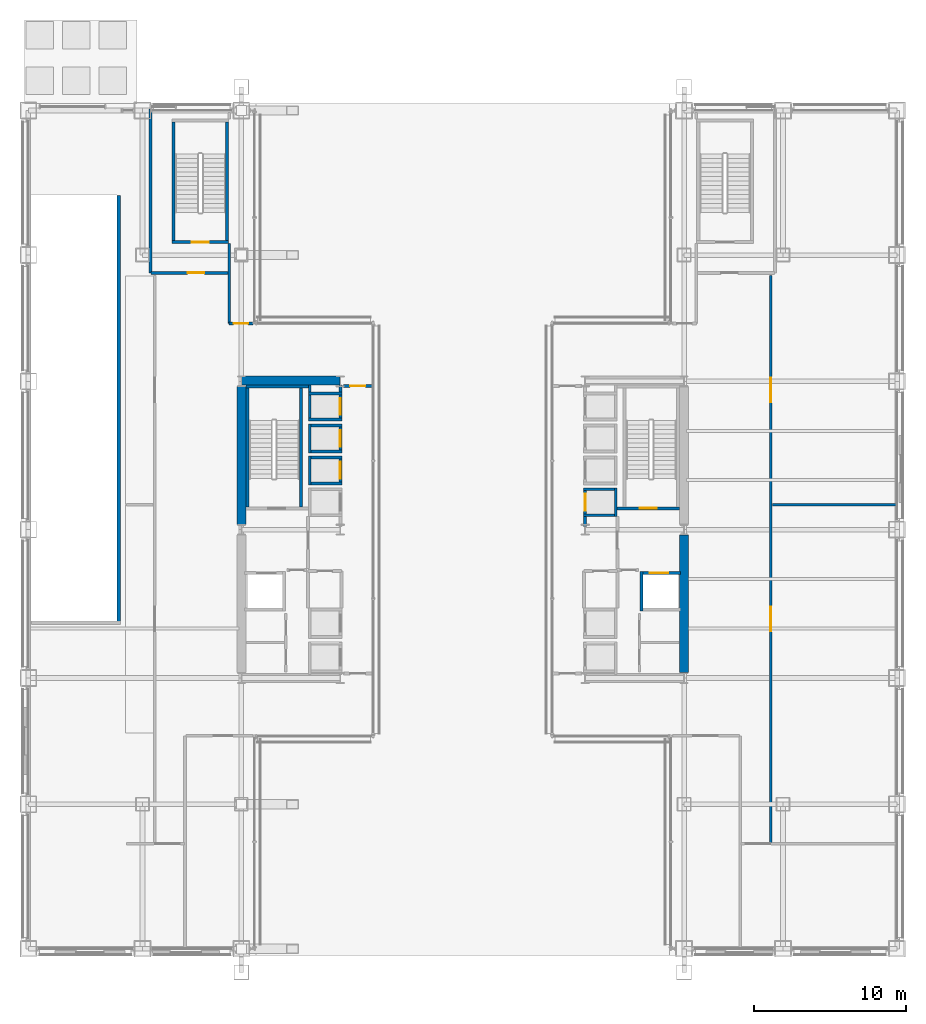
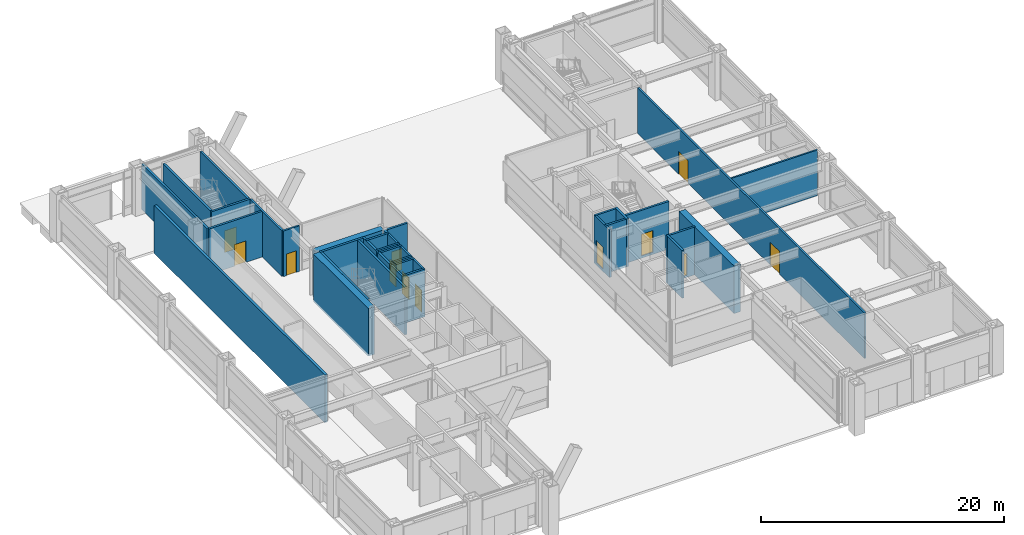
# One storey, part 32 of 37: 36 walls, 12 doors, 12 openings.
"""IFC4 building model written with IfcOpenShell, lengths in metres."""

import ifcopenshell
import ifcopenshell.guid

model = None  # the IFC model being written
_history = None  # IfcOwnerHistory: only IFC2X3 demands one
_inside = {}  # id of a spatial element -> (the spatial element, [elements in it])
_under = {}  # id of a project, library or spatial element -> (it, [spatial elements below it])
_declared = {}  # id of a project -> (the project, [libraries it declares])
_typed = {}  # id of a type object -> (the type object, [elements of that type])
_made_of = {}  # id of a material, layer set ... -> (it, [elements and type objects made of it])


def new_model(schema):
    """Start an empty IFC model of exactly this schema.

    Asked for "IFC4X3", IfcOpenShell would pick the latest addendum, in which some entities
    have other attributes; the version numbers below select the first issue.
    IFC2X3 requires an IfcOwnerHistory on every rooted entity: one is made here for all.
    """
    global model, _history
    if schema == "IFC4X3":
        model = ifcopenshell.file(schema_version=(4, 3, 0, 0))
    else:
        model = ifcopenshell.file(schema=schema)
    _inside.clear()
    _under.clear()
    _declared.clear()
    _typed.clear()
    _made_of.clear()
    _history = None
    if model.schema == "IFC2X3":
        org = make("IfcOrganization", Name="unknown")
        user = make(
            "IfcPersonAndOrganization",
            ThePerson=make("IfcPerson", FamilyName="unknown"),
            TheOrganization=org,
        )
        app = make(
            "IfcApplication",
            ApplicationDeveloper=org,
            Version="unknown",
            ApplicationFullName="unknown",
            ApplicationIdentifier="unknown",
        )
        _history = make(
            "IfcOwnerHistory",
            OwningUser=user,
            OwningApplication=app,
            ChangeAction="ADDED",
            CreationDate=0,
        )
    return model


def make(cls, **values):
    """One entity of the class cls with the attributes given. An attribute that is None is left unset."""
    return model.create_entity(
        cls, **{name: value for name, value in values.items() if value is not None}
    )


def rooted(cls, **values):
    """An entity with a GlobalId (a new one), such as an element, a storey or a relation."""
    return make(cls, GlobalId=ifcopenshell.guid.new(), OwnerHistory=_history, **values)


def si_unit(unit_type, name, prefix=None):
    """IfcSIUnit, for example si_unit("LENGTHUNIT", "METRE", prefix="MILLI")."""
    return make("IfcSIUnit", UnitType=unit_type, Prefix=prefix, Name=name)


def assignment(units):
    """IfcUnitAssignment: the units of a project."""
    return None if units is None else make("IfcUnitAssignment", Units=units)


def point(xyz):
    """IfcCartesianPoint."""
    return None if xyz is None else make("IfcCartesianPoint", Coordinates=xyz)


def direction(xyz):
    """IfcDirection."""
    return None if xyz is None else make("IfcDirection", DirectionRatios=xyz)


def frame(location, z_axis=None, x_axis=None):
    """IfcAxis2Placement3D, a coordinate frame: its origin and axes. An axis left out is left unset."""
    return make(
        "IfcAxis2Placement3D",
        Location=point(location),
        Axis=direction(z_axis),
        RefDirection=direction(x_axis),
    )


def frame_2d(location, x_axis=None):
    """IfcAxis2Placement2D, a coordinate frame in the plane: its origin and x axis."""
    return make(
        "IfcAxis2Placement2D", Location=point(location), RefDirection=direction(x_axis)
    )


def origin():
    """The frame at (0, 0, 0) with its axes left unset."""
    return frame((0.0, 0.0, 0.0))


def place(relative_to, where):
    """IfcLocalPlacement: puts the frame where relative to a parent placement (None: the world)."""
    return make(
        "IfcLocalPlacement", PlacementRelTo=relative_to, RelativePlacement=where
    )


def context(
    kind, dimensions, precision=None, world=None, true_north=None, identifier=None
):
    """IfcGeometricRepresentationContext, for example the 3D "Model" context."""
    return make(
        "IfcGeometricRepresentationContext",
        ContextIdentifier=identifier,
        ContextType=kind,
        CoordinateSpaceDimension=dimensions,
        Precision=precision,
        WorldCoordinateSystem=world,
        TrueNorth=true_north,
    )


def subcontext(parent, identifier, kind, view, scale=None):
    """IfcGeometricRepresentationSubContext, for example "Body" below "Model"."""
    return make(
        "IfcGeometricRepresentationSubContext",
        ContextIdentifier=identifier,
        ContextType=kind,
        ParentContext=parent,
        TargetScale=scale,
        TargetView=view,
    )


def project(units=None, contexts=None):
    """IfcProject with its units and contexts."""
    return rooted(
        "IfcProject",
        Name="project",
        RepresentationContexts=contexts,
        UnitsInContext=assignment(units),
    )


def spatial(cls, under=None, at=None, **own):
    """A site, building, storey or space (cls), placed at a placement, below another one or the project."""
    s = rooted(cls, ObjectPlacement=at, **own)
    if under is not None:
        _under.setdefault(under.id(), (under, []))[1].append(s)
    return s


def profile(cls, at=None, kind="AREA", **sizes):
    """A parametric profile (cls). Its sizes go by their IFC names, for example OverallWidth=200.0."""
    return make(cls, ProfileType=kind, Position=at, **sizes)


def rectangle(**sizes):
    """IfcRectangleProfileDef."""
    return profile("IfcRectangleProfileDef", **sizes)


def extrude(swept, where, along, depth):
    """IfcExtrudedAreaSolid: the profile swept, set in the frame where, extruded along a direction by depth."""
    return make(
        "IfcExtrudedAreaSolid",
        SweptArea=swept,
        Position=where,
        ExtrudedDirection=direction(along),
        Depth=depth,
    )


def shape(context_of_items, identifier, shape_type, items):
    """IfcShapeRepresentation: the items that make up one representation, for example the "Body"."""
    return make(
        "IfcShapeRepresentation",
        ContextOfItems=context_of_items,
        RepresentationIdentifier=identifier,
        RepresentationType=shape_type,
        Items=items,
    )


def material(Name=None, Category=None):
    """IfcMaterial."""
    return make("IfcMaterial", Name=Name, Category=Category)


def layer(
    of_material, thickness, ventilated=None, Name=None, Category=None, Priority=None
):
    """IfcMaterialLayer: one layer of a wall or slab, of a material (None: an air gap)."""
    return make(
        "IfcMaterialLayer",
        Material=of_material,
        LayerThickness=thickness,
        IsVentilated=ventilated,
        Name=Name,
        Category=Category,
        Priority=Priority,
    )


def layer_set(layers, Name=None):
    """IfcMaterialLayerSet."""
    return make("IfcMaterialLayerSet", MaterialLayers=layers, LayerSetName=Name)


def made_of(thing, what):
    """Note that an element or type object is made of a material, layer set ...; save() writes the relation."""
    if what is not None:
        _made_of.setdefault(what.id(), (what, []))[1].append(thing)
    return thing


def type_object(cls, material=None, **own):
    """A type object (cls), such as IfcWallType, which elements share."""
    return made_of(rooted(cls, **own), material)


def element(
    cls,
    number,
    at=None,
    inside=None,
    cuts=None,
    type_object=None,
    material=None,
    context=None,
    identifier="Body",
    shape_type=None,
    held_by="IfcProductDefinitionShape",
    body=None,
    shapes=None,
    **own,
):
    """One element of the class cls, such as IfcWall. Its Tag is "e" and its number.

    at: its placement. inside: the storey or other place that contains it. cuts: it is an
    opening in that element (IfcRelVoidsElement). A single representation is given by context,
    identifier, shape_type and body (its items); several are given by shapes. held_by: the class
    of the entity that holds the representations. save() writes the other relations.
    """
    e = rooted(cls, Tag="e%d" % number, ObjectPlacement=at, **own)
    if body is not None:
        shapes = [shape(context, identifier, shape_type, body)]
    if shapes is not None:
        e.Representation = make(held_by, Representations=shapes)
    if inside is not None:
        _inside.setdefault(inside.id(), (inside, []))[1].append(e)
    if cuts is not None:
        rooted(
            "IfcRelVoidsElement", RelatingBuildingElement=cuts, RelatedOpeningElement=e
        )
    if type_object is not None:
        _typed.setdefault(type_object.id(), (type_object, []))[1].append(e)
    return made_of(e, material)


def fill(opening, filler):
    """IfcRelFillsElement: the door or window that sits in an opening."""
    return rooted(
        "IfcRelFillsElement",
        RelatingOpeningElement=opening,
        RelatedBuildingElement=filler,
    )


def aggregate(whole, parts):
    """IfcRelAggregates: a whole, such as a stair, and the parts it consists of."""
    return rooted("IfcRelAggregates", RelatingObject=whole, RelatedObjects=parts)


def save(model, path):
    """Write the relations noted so far, then the file.

    IfcRelAggregates (storeys below a building ...), IfcRelContainedInSpatialStructure (elements
    in a storey), IfcRelDefinesByType, IfcRelAssociatesMaterial and IfcRelDeclares: one each for
    every whole, place, type object, material and project.
    """
    for whole, parts in _under.values():
        aggregate(whole, parts)
    for where, things in _inside.values():
        rooted(
            "IfcRelContainedInSpatialStructure",
            RelatedElements=things,
            RelatingStructure=where,
        )
    for kind, things in _typed.values():
        rooted("IfcRelDefinesByType", RelatedObjects=things, RelatingType=kind)
    for what, things in _made_of.values():
        rooted("IfcRelAssociatesMaterial", RelatedObjects=things, RelatingMaterial=what)
    for by, libraries in _declared.values():
        rooted("IfcRelDeclares", RelatingContext=by, RelatedDefinitions=libraries)
    model.write(path)


model = new_model("IFC4")

# Units and contexts
model_context = context("Model", 3, precision=1e-05, world=origin(), true_north=direction((0.0, 1.0)))
body_context = subcontext(model_context, "Body", "Model", "MODEL_VIEW")
ifc_project = project(units=[si_unit("LENGTHUNIT", "METRE"), si_unit("AREAUNIT", "SQUARE_METRE"), si_unit("VOLUMEUNIT", "CUBIC_METRE"), si_unit("PLANEANGLEUNIT", "RADIAN"), si_unit("MASSUNIT", "GRAM", prefix="KILO")], contexts=[model_context])

# Site, building, storey
site_placement = place(None, origin())
site = spatial("IfcSite", under=ifc_project, at=site_placement, CompositionType="ELEMENT")
building_placement = place(site_placement, origin())
building = spatial("IfcBuilding", under=site, at=building_placement, Name="Brelmoor Portico Tower", CompositionType="ELEMENT")
storey_placement = place(building_placement, origin())
storey = spatial("IfcBuildingStorey", under=building, at=storey_placement, Name="L00", CompositionType="ELEMENT", Elevation=0.0)

# Walls
ifc_material_1 = material(Name="Concrete C60", Category="concrete")
ifc_layer_1 = layer(ifc_material_1, 0.60009765625)
ifc_layer_set_1 = layer_set([ifc_layer_1], Name="Concrete C60")
wall_type_1 = type_object("IfcWallType", Name="WL-CORE-600", PredefinedType="SHEAR", material=ifc_layer_set_1)
wall_1_placement = place(storey_placement, frame((-14.530029296875, 9.800048828125, -0.219970703125), z_axis=(0.0, 0.0, 1.0), x_axis=(1.0, 0.0, 0.0)))
element("IfcWall", 1, at=wall_1_placement, inside=storey, type_object=wall_type_1, Name="L00 WC North Shear Wall", PredefinedType="SHEAR", context=body_context, shape_type="SweptSolid", body=[
    extrude(rectangle(XDim=6.4599609375, YDim=0.60009765625, at=frame_2d((3.22998046875, 0.0))), origin(), (0.0, 0.0, 1.0), 4.800048828125),
])
for number, where, z_axis, x_axis, name in (
    (2, (-14.550048828125, 0.35009765625, -0.219970703125), (0.0, 0.0, 1.0), (0.0, 1.0, 0.0), "L00 WC Outer North Shear Wall"),
    (3, (14.550048828125, -9.39990234375, -0.219970703125), (0.0, 0.0, 1.0), (0.0, 1.0, 0.0), "L00 EC Outer South Shear Wall"),
):
    element("IfcWall", number, at=place(storey_placement, frame(where, z_axis=z_axis, x_axis=x_axis)), inside=storey, type_object=wall_type_1, Name=name, PredefinedType="SHEAR", context=body_context, shape_type="SweptSolid", body=[
        extrude(rectangle(XDim=9.0498046875, YDim=0.60009765625, at=frame_2d((4.52490234375, 0.0))), origin(), (0.0, 0.0, 1.0), 4.800048828125),
    ])
ifc_material_2 = material(Name="Twin-Frame Acoustic Partition", Category="gypsum")
ifc_layer_2 = layer(ifc_material_2, 0.159912109375)
ifc_layer_set_2 = layer_set([ifc_layer_2], Name="Twin-Frame Acoustic Partition")
wall_type_2 = type_object("IfcWallType", Name="WL-PART-160", PredefinedType="PARTITIONING", material=ifc_layer_set_2)
wall_2_placement = place(storey_placement, frame((20.35009765625, 1.64990234375, 0.0), z_axis=(0.0, 0.0, 1.0), x_axis=(1.0, 0.0, 0.0)))
element("IfcWall", 4, at=wall_2_placement, inside=storey, type_object=wall_type_2, Name="L00 E Wing Divider 1", PredefinedType="PARTITIONING", context=body_context, shape_type="SweptSolid", body=[
    extrude(rectangle(XDim=8.169921875, YDim=0.159912109375, at=frame_2d((4.0849609375, 0.0))), origin(), (0.0, 0.0, 1.0), 4.580078125),
])

# Wall, opening, door
ifc_material_3 = material(Name="Acoustic Corridor Fire Partition", Category="gypsum")
ifc_layer_3 = layer(ifc_material_3, 0.179931640625)
ifc_layer_set_3 = layer_set([ifc_layer_3], Name="Acoustic Corridor Fire Partition")
wall_type_3 = type_object("IfcWallType", Name="WL-PART-180", PredefinedType="PARTITIONING", material=ifc_layer_set_3)
wall_3_placement = place(storey_placement, frame((-13.800048828125, 13.550048828125, 0.0), z_axis=(0.0, 0.0, 1.0), x_axis=(-1.0, 0.0, 0.0)))
wall_3 = element("IfcWall", 5, at=wall_3_placement, inside=storey, type_object=wall_type_3, Name="L00 W North Reception Wall", PredefinedType="PARTITIONING", context=body_context, shape_type="SweptSolid", body=[
    extrude(rectangle(XDim=1.550048828125, YDim=0.179931640625, at=frame_2d((0.77490234375, 0.0))), origin(), (0.0, 0.0, 1.0), 4.580078125),
])
opening_1_placement = place(wall_3_placement, frame((0.300048828125, 0.0, 0.0)))
opening_1 = element("IfcOpeningElement", 6, at=opening_1_placement, cuts=wall_3, Name="Opening D-IN2", PredefinedType="OPENING", context=body_context, shape_type="SweptSolid", body=[
    extrude(rectangle(XDim=0.9599609375, YDim=2.179931640625, at=frame_2d((0.47998046875, 1.08984375))), frame((0.0, 0.099853515625, 0.0), z_axis=(0.0, -1.0, 0.0), x_axis=(1.0, 0.0, 0.0)), (0.0, 0.0, 1.0), 0.199951171875),
])
ifc_material_4 = material(Name="Lacquered Timber Suite Door", Category="wood")
door_type_1 = type_object("IfcDoorType", Name="DR-INT-950", OperationType="NOTDEFINED", PredefinedType="DOOR", material=ifc_material_4)
door_1_placement = place(opening_1_placement, origin())
door_1 = element("IfcDoor", 7, at=door_1_placement, inside=storey, type_object=door_type_1, Name="D-0068 L00 W North Reception Foyer Door", OperationType="SINGLE_SWING_RIGHT", OverallHeight=2.179931640625, OverallWidth=0.9599609375, PredefinedType="DOOR", context=body_context, shape_type="SweptSolid", body=[
    extrude(rectangle(XDim=0.9599609375, YDim=2.179931640625, at=frame_2d((0.47998046875, 1.08984375))), frame((0.0, 0.02490234375, 0.0), z_axis=(0.0, -1.0, 0.0), x_axis=(1.0, 0.0, 0.0)), (0.0, 0.0, 1.0), 0.050048828125),
])
fill(opening_1, door_1)

# Wall
wall_4_placement = place(storey_placement, frame((-15.35009765625, 13.550048828125, 0.0), z_axis=(0.0, 0.0, 1.0), x_axis=(0.0, 1.0, 0.0)))
element("IfcWall", 8, at=wall_4_placement, inside=storey, type_object=wall_type_3, Name="L00 W North Reception Outer Wall", PredefinedType="PARTITIONING", context=body_context, shape_type="SweptSolid", body=[
    extrude(rectangle(XDim=5.25, YDim=0.179931640625, at=frame_2d((2.625, 0.0))), origin(), (0.0, 0.0, 1.0), 4.580078125),
])

# Wall, openings, doors
wall_5_placement = place(storey_placement, frame((20.25, -20.60009765625, 0.0), z_axis=(0.0, 0.0, 1.0), x_axis=(0.0, 1.0, 0.0)))
wall_5 = element("IfcWall", 9, at=wall_5_placement, inside=storey, type_object=wall_type_3, Name="L00 E Wing Concourse Wall", PredefinedType="PARTITIONING", context=body_context, shape_type="SweptSolid", body=[
    extrude(rectangle(XDim=37.300048828125, YDim=0.179931640625, at=frame_2d((18.64990234375, 0.0))), origin(), (0.0, 0.0, 1.0), 4.580078125),
])
opening_2_placement = place(wall_5_placement, frame((13.925048828125, 0.0, 0.0)))
opening_2 = element("IfcOpeningElement", 10, at=opening_2_placement, cuts=wall_5, Name="Opening D-PB1", PredefinedType="OPENING", context=body_context, shape_type="SweptSolid", body=[
    extrude(rectangle(XDim=1.60009765625, YDim=2.300048828125, at=frame_2d((0.800048828125, 1.14990234375))), frame((0.0, 0.099853515625, 0.0), z_axis=(0.0, -1.0, 0.0), x_axis=(1.0, 0.0, 0.0)), (0.0, 0.0, 1.0), 0.199951171875),
])
opening_3_placement = place(wall_5_placement, frame((28.97509765625, 0.0, 0.0)))
opening_3 = element("IfcOpeningElement", 11, at=opening_3_placement, cuts=wall_5, Name="Opening D-PB1", PredefinedType="OPENING", context=body_context, shape_type="SweptSolid", body=[
    extrude(rectangle(XDim=1.60009765625, YDim=2.300048828125, at=frame_2d((0.800048828125, 1.14990234375))), frame((0.0, 0.099853515625, 0.0), z_axis=(0.0, -1.0, 0.0), x_axis=(1.0, 0.0, 0.0)), (0.0, 0.0, 1.0), 0.199951171875),
])
ifc_material_5 = material(Name="Double-Leaf Anodised Aluminium Hall Door", Category="aluminium")
door_type_2 = type_object("IfcDoorType", Name="DR-PUBLIC-1600", OperationType="NOTDEFINED", PredefinedType="DOOR", material=ifc_material_5)
door_2_placement = place(opening_2_placement, origin())
door_2 = element("IfcDoor", 12, at=door_2_placement, inside=storey, type_object=door_type_2, Name="D-0073 L00 E Portico Design Studio Door", OperationType="DOUBLE_DOOR_SINGLE_SWING", OverallHeight=2.300048828125, OverallWidth=1.60009765625, PredefinedType="DOOR", context=body_context, shape_type="SweptSolid", body=[
    extrude(rectangle(XDim=1.60009765625, YDim=2.300048828125, at=frame_2d((0.800048828125, 1.14990234375))), frame((0.0, 0.02490234375, 0.0), z_axis=(0.0, -1.0, 0.0), x_axis=(1.0, 0.0, 0.0)), (0.0, 0.0, 1.0), 0.050048828125),
])
fill(opening_2, door_2)
door_3_placement = place(opening_3_placement, origin())
door_3 = element("IfcDoor", 13, at=door_3_placement, inside=storey, type_object=door_type_2, Name="D-0074 L00 E Artisan Cafe and Bakery Door", OperationType="DOUBLE_DOOR_SINGLE_SWING", OverallHeight=2.300048828125, OverallWidth=1.60009765625, PredefinedType="DOOR", context=body_context, shape_type="SweptSolid", body=[
    extrude(rectangle(XDim=1.60009765625, YDim=2.300048828125, at=frame_2d((0.800048828125, 1.14990234375))), frame((0.0, 0.02490234375, 0.0), z_axis=(0.0, -1.0, 0.0), x_axis=(1.0, 0.0, 0.0)), (0.0, 0.0, 1.0), 0.050048828125),
])
fill(opening_3, door_3)

# Wall, opening, door
ifc_material_6 = material(Name="Double-Stud Gypsum Fire Partition", Category="gypsum")
ifc_layer_4 = layer(ifc_material_6, 0.199951171875)
ifc_layer_set_4 = layer_set([ifc_layer_4], Name="Double-Stud Gypsum Fire Partition")
wall_type_4 = type_object("IfcWallType", Name="WL-PART-200", PredefinedType="PARTITIONING", material=ifc_layer_set_4)
wall_6_placement = place(storey_placement, frame((-7.85009765625, 9.449951171875, 0.0), z_axis=(0.0, 0.0, 1.0), x_axis=(1.0, 0.0, 0.0)))
wall_6 = element("IfcWall", 14, at=wall_6_placement, inside=storey, type_object=wall_type_4, Name="L00 W Pier Lift Lobby North Wall", PredefinedType="PARTITIONING", context=body_context, shape_type="SweptSolid", body=[
    extrude(rectangle(XDim=1.93017578125, YDim=0.199951171875, at=frame_2d((0.965087890625, 0.0))), origin(), (0.0, 0.0, 1.0), 4.580078125),
])
opening_4_placement = place(wall_6_placement, frame((0.449951171875, 0.0, 0.0)))
opening_4 = element("IfcOpeningElement", 15, at=opening_4_placement, cuts=wall_6, Name="Opening D-FR2", PredefinedType="OPENING", context=body_context, shape_type="SweptSolid", body=[
    extrude(rectangle(XDim=1.0, YDim=2.14990234375, at=frame_2d((0.5, 1.074951171875))), frame((0.0, 0.10986328125, 0.0), z_axis=(0.0, -1.0, 0.0), x_axis=(1.0, 0.0, 0.0)), (0.0, 0.0, 1.0), 0.219970703125),
])
ifc_material_7 = material(Name="Painted Galvanised Steel Fire Door", Category="steel")
door_type_3 = type_object("IfcDoorType", Name="DR-FIRE-1000", OperationType="NOTDEFINED", PredefinedType="DOOR", material=ifc_material_7)
door_4_placement = place(opening_4_placement, origin())
door_4 = element("IfcDoor", 16, at=door_4_placement, inside=storey, type_object=door_type_3, Name="D-0064 L00 W Pier Lift Lobby North Door", OperationType="SINGLE_SWING_LEFT", OverallHeight=2.14990234375, OverallWidth=1.0, PredefinedType="DOOR", context=body_context, shape_type="SweptSolid", body=[
    extrude(rectangle(XDim=1.0, YDim=2.14990234375, at=frame_2d((0.5, 1.074951171875))), frame((0.0, 0.02490234375, 0.0), z_axis=(0.0, -1.0, 0.0), x_axis=(1.0, 0.0, 0.0)), (0.0, 0.0, 1.0), 0.050048828125),
])
fill(opening_4, door_4)

wall_7_placement = place(storey_placement, frame((-20.47998046875, 16.8798828125, 0.0), z_axis=(0.0, 0.0, 1.0), x_axis=(1.0, 0.0, 0.0)))
wall_7 = element("IfcWall", 17, at=wall_7_placement, inside=storey, type_object=wall_type_4, Name="L00 W Protected Exit Corridor South Fire Wall", PredefinedType="PARTITIONING", context=body_context, shape_type="SweptSolid", body=[
    extrude(rectangle(XDim=5.10009765625, YDim=0.199951171875, at=frame_2d((2.550048828125, 0.0))), origin(), (0.0, 0.0, 1.0), 4.580078125),
])
opening_5_placement = place(wall_7_placement, frame((2.39990234375, 0.0, 0.0)))
opening_5 = element("IfcOpeningElement", 18, at=opening_5_placement, cuts=wall_7, Name="Opening D-FR1", PredefinedType="OPENING", context=body_context, shape_type="SweptSolid", body=[
    extrude(rectangle(XDim=1.10009765625, YDim=2.14990234375, at=frame_2d((0.550048828125, 1.074951171875))), frame((0.0, 0.10986328125, 0.0), z_axis=(0.0, -1.0, 0.0), x_axis=(1.0, 0.0, 0.0)), (0.0, 0.0, 1.0), 0.219970703125),
])
door_type_4 = type_object("IfcDoorType", Name="DR-FIRE-1100", OperationType="NOTDEFINED", PredefinedType="DOOR", material=ifc_material_7)
door_5_placement = place(opening_5_placement, origin())
door_5 = element("IfcDoor", 19, at=door_5_placement, inside=storey, type_object=door_type_4, Name="D-0060 L00 W Protected Exit Corridor Fire Door", OperationType="SINGLE_SWING_RIGHT", OverallHeight=2.14990234375, OverallWidth=1.10009765625, PredefinedType="DOOR", context=body_context, shape_type="SweptSolid", body=[
    extrude(rectangle(XDim=1.10009765625, YDim=2.14990234375, at=frame_2d((0.550048828125, 1.074951171875))), frame((0.0, 0.02490234375, 0.0), z_axis=(0.0, -1.0, 0.0), x_axis=(1.0, 0.0, 0.0)), (0.0, 0.0, 1.0), 0.050048828125),
])
fill(opening_5, door_5)

# Wall
wall_8_placement = place(storey_placement, frame((-20.52001953125, 16.8798828125, 0.0), z_axis=(0.0, 0.0, 1.0), x_axis=(0.0, 1.0, 0.0)))
element("IfcWall", 20, at=wall_8_placement, inside=storey, type_object=wall_type_4, Name="L00 W Protected Exit Corridor Outer Fire Wall", PredefinedType="PARTITIONING", context=body_context, shape_type="SweptSolid", body=[
    extrude(rectangle(XDim=10.77001953125, YDim=0.199951171875, at=frame_2d((5.385009765625, 0.0))), origin(), (0.0, 0.0, 1.0), 4.580078125),
])

# Wall, opening, door
ifc_material_8 = material(Name="Precast Concrete C40", Category="concrete")
ifc_layer_5 = layer(ifc_material_8, 0.18994140625)
ifc_layer_set_5 = layer_set([ifc_layer_5], Name="Precast Concrete C40")
wall_type_5 = type_object("IfcWallType", Name="WL-SHAFT-180", PredefinedType="SOLIDWALL", material=ifc_layer_set_5)
wall_9_placement = place(storey_placement, frame((-8.044921875, 2.949951171875, -0.219970703125), z_axis=(0.0, 0.0, 1.0), x_axis=(0.0, 1.0, 0.0)))
wall_9 = element("IfcWall", 21, at=wall_9_placement, inside=storey, type_object=wall_type_5, Name="L00 Lift PL2 Hoistway Front Wall", PredefinedType="SOLIDWALL", context=body_context, shape_type="SweptSolid", body=[
    extrude(rectangle(XDim=1.900146484375, YDim=0.18994140625, at=frame_2d((0.9501953125, 0.0))), origin(), (0.0, 0.0, 1.0), 4.800048828125),
])
opening_6_placement = place(wall_9_placement, frame((0.39990234375, 0.0, 0.219970703125)))
opening_6 = element("IfcOpeningElement", 22, at=opening_6_placement, cuts=wall_9, Name="Opening LD-01", PredefinedType="OPENING", context=body_context, shape_type="SweptSolid", body=[
    extrude(rectangle(XDim=1.10009765625, YDim=2.199951171875, at=frame_2d((0.550048828125, 1.10009765625))), frame((0.0, 0.10498046875, 0.0), z_axis=(0.0, -1.0, 0.0), x_axis=(1.0, 0.0, 0.0)), (0.0, 0.0, 1.0), 0.2099609375),
])
ifc_material_9 = material(Name="Brushed Stainless Steel Sliding Lift Door", Category="steel")
door_type_5 = type_object("IfcDoorType", Name="DR-LIFT-1100", OperationType="NOTDEFINED", PredefinedType="DOOR", material=ifc_material_9)
door_6_placement = place(opening_6_placement, origin())
door_6 = element("IfcDoor", 23, at=door_6_placement, inside=storey, type_object=door_type_5, Name="D-0089 L00 Lift PL2 Sliding Landing Door", OperationType="SLIDING_TO_LEFT", OverallHeight=2.199951171875, OverallWidth=1.10009765625, PredefinedType="DOOR", context=body_context, shape_type="SweptSolid", body=[
    extrude(rectangle(XDim=1.10009765625, YDim=2.199951171875, at=frame_2d((0.550048828125, 1.10009765625))), frame((0.0, 0.02490234375, 0.0), z_axis=(0.0, -1.0, 0.0), x_axis=(1.0, 0.0, 0.0)), (0.0, 0.0, 1.0), 0.050048828125),
])
fill(opening_6, door_6)

# Walls
wall_10_placement = place(storey_placement, frame((-10.054931640625, 2.949951171875, -0.219970703125), z_axis=(0.0, 0.0, 1.0), x_axis=(0.0, 1.0, 0.0)))
element("IfcWall", 24, at=wall_10_placement, inside=storey, type_object=wall_type_5, Name="L00 Lift PL2 Hoistway Back Wall", PredefinedType="SOLIDWALL", context=body_context, shape_type="SweptSolid", body=[
    extrude(rectangle(XDim=1.900146484375, YDim=0.18994140625, at=frame_2d((0.9501953125, 0.0))), origin(), (0.0, 0.0, 1.0), 4.800048828125),
])
for number, where, z_axis, x_axis, name in (
    (25, (-10.14990234375, 4.7548828125, -0.219970703125), (0.0, 0.0, 1.0), (1.0, 0.0, 0.0), "L00 Lift PL2 Hoistway North Wall"),
    (26, (-10.14990234375, 3.044921875, -0.219970703125), (0.0, 0.0, 1.0), (1.0, 0.0, 0.0), "L00 Lift PL2 Hoistway South Wall"),
):
    element("IfcWall", number, at=place(storey_placement, frame(where, z_axis=z_axis, x_axis=x_axis)), inside=storey, type_object=wall_type_5, Name=name, PredefinedType="SOLIDWALL", context=body_context, shape_type="SweptSolid", body=[
        extrude(rectangle(XDim=2.199951171875, YDim=0.18994140625, at=frame_2d((1.10009765625, 0.0))), origin(), (0.0, 0.0, 1.0), 4.800048828125),
    ])

# Wall, opening, door
wall_11_placement = place(storey_placement, frame((-8.044921875, 5.050048828125, -0.219970703125), z_axis=(0.0, 0.0, 1.0), x_axis=(0.0, 1.0, 0.0)))
wall_11 = element("IfcWall", 27, at=wall_11_placement, inside=storey, type_object=wall_type_5, Name="L00 Lift PL3 Hoistway Front Wall", PredefinedType="SOLIDWALL", context=body_context, shape_type="SweptSolid", body=[
    extrude(rectangle(XDim=1.89990234375, YDim=0.18994140625, at=frame_2d((0.949951171875, 0.0))), origin(), (0.0, 0.0, 1.0), 4.800048828125),
])
opening_7_placement = place(wall_11_placement, frame((0.39990234375, 0.0, 0.219970703125)))
opening_7 = element("IfcOpeningElement", 28, at=opening_7_placement, cuts=wall_11, Name="Opening LD-01", PredefinedType="OPENING", context=body_context, shape_type="SweptSolid", body=[
    extrude(rectangle(XDim=1.10009765625, YDim=2.199951171875, at=frame_2d((0.550048828125, 1.10009765625))), frame((0.0, 0.10498046875, 0.0), z_axis=(0.0, -1.0, 0.0), x_axis=(1.0, 0.0, 0.0)), (0.0, 0.0, 1.0), 0.2099609375),
])
door_7_placement = place(opening_7_placement, origin())
door_7 = element("IfcDoor", 29, at=door_7_placement, inside=storey, type_object=door_type_5, Name="D-0090 L00 Lift PL3 Sliding Landing Door", OperationType="SLIDING_TO_LEFT", OverallHeight=2.199951171875, OverallWidth=1.10009765625, PredefinedType="DOOR", context=body_context, shape_type="SweptSolid", body=[
    extrude(rectangle(XDim=1.10009765625, YDim=2.199951171875, at=frame_2d((0.550048828125, 1.10009765625))), frame((0.0, 0.02490234375, 0.0), z_axis=(0.0, -1.0, 0.0), x_axis=(1.0, 0.0, 0.0)), (0.0, 0.0, 1.0), 0.050048828125),
])
fill(opening_7, door_7)

# Walls
wall_12_placement = place(storey_placement, frame((-10.054931640625, 5.050048828125, -0.219970703125), z_axis=(0.0, 0.0, 1.0), x_axis=(0.0, 1.0, 0.0)))
element("IfcWall", 30, at=wall_12_placement, inside=storey, type_object=wall_type_5, Name="L00 Lift PL3 Hoistway Back Wall", PredefinedType="SOLIDWALL", context=body_context, shape_type="SweptSolid", body=[
    extrude(rectangle(XDim=1.89990234375, YDim=0.18994140625, at=frame_2d((0.949951171875, 0.0))), origin(), (0.0, 0.0, 1.0), 4.800048828125),
])
for number, where, z_axis, x_axis, name in (
    (31, (-10.14990234375, 6.85498046875, -0.219970703125), (0.0, 0.0, 1.0), (1.0, 0.0, 0.0), "L00 Lift PL3 Hoistway North Wall"),
    (32, (-10.14990234375, 5.14501953125, -0.219970703125), (0.0, 0.0, 1.0), (1.0, 0.0, 0.0), "L00 Lift PL3 Hoistway South Wall"),
):
    element("IfcWall", number, at=place(storey_placement, frame(where, z_axis=z_axis, x_axis=x_axis)), inside=storey, type_object=wall_type_5, Name=name, PredefinedType="SOLIDWALL", context=body_context, shape_type="SweptSolid", body=[
        extrude(rectangle(XDim=2.199951171875, YDim=0.18994140625, at=frame_2d((1.10009765625, 0.0))), origin(), (0.0, 0.0, 1.0), 4.800048828125),
    ])

# Wall, opening, door
wall_13_placement = place(storey_placement, frame((-8.044921875, 7.14990234375, -0.219970703125), z_axis=(0.0, 0.0, 1.0), x_axis=(0.0, 1.0, 0.0)))
wall_13 = element("IfcWall", 33, at=wall_13_placement, inside=storey, type_object=wall_type_5, Name="L00 Lift PL4 Hoistway Front Wall", PredefinedType="SOLIDWALL", context=body_context, shape_type="SweptSolid", body=[
    extrude(rectangle(XDim=2.3701171875, YDim=0.18994140625, at=frame_2d((1.18505859375, 0.0))), origin(), (0.0, 0.0, 1.0), 4.800048828125),
])
opening_8_placement = place(wall_13_placement, frame((0.39990234375, 0.0, 0.219970703125)))
opening_8 = element("IfcOpeningElement", 34, at=opening_8_placement, cuts=wall_13, Name="Opening LD-01", PredefinedType="OPENING", context=body_context, shape_type="SweptSolid", body=[
    extrude(rectangle(XDim=1.10009765625, YDim=2.199951171875, at=frame_2d((0.550048828125, 1.10009765625))), frame((0.0, 0.10498046875, 0.0), z_axis=(0.0, -1.0, 0.0), x_axis=(1.0, 0.0, 0.0)), (0.0, 0.0, 1.0), 0.2099609375),
])
door_8_placement = place(opening_8_placement, origin())
door_8 = element("IfcDoor", 35, at=door_8_placement, inside=storey, type_object=door_type_5, Name="D-0091 L00 Lift PL4 Sliding Landing Door", OperationType="SLIDING_TO_LEFT", OverallHeight=2.199951171875, OverallWidth=1.10009765625, PredefinedType="DOOR", context=body_context, shape_type="SweptSolid", body=[
    extrude(rectangle(XDim=1.10009765625, YDim=2.199951171875, at=frame_2d((0.550048828125, 1.10009765625))), frame((0.0, 0.02490234375, 0.0), z_axis=(0.0, -1.0, 0.0), x_axis=(1.0, 0.0, 0.0)), (0.0, 0.0, 1.0), 0.050048828125),
])
fill(opening_8, door_8)

# Walls
wall_14_placement = place(storey_placement, frame((-10.054931640625, 7.14990234375, -0.219970703125), z_axis=(0.0, 0.0, 1.0), x_axis=(0.0, 1.0, 0.0)))
element("IfcWall", 36, at=wall_14_placement, inside=storey, type_object=wall_type_5, Name="L00 Lift PL4 Hoistway Back Wall", PredefinedType="SOLIDWALL", context=body_context, shape_type="SweptSolid", body=[
    extrude(rectangle(XDim=2.3701171875, YDim=0.18994140625, at=frame_2d((1.18505859375, 0.0))), origin(), (0.0, 0.0, 1.0), 4.800048828125),
])
for number, where, z_axis, x_axis, name in (
    (37, (-10.14990234375, 8.955078125, -0.219970703125), (0.0, 0.0, 1.0), (1.0, 0.0, 0.0), "L00 Lift PL4 Hoistway North Wall"),
    (38, (-10.14990234375, 7.2451171875, -0.219970703125), (0.0, 0.0, 1.0), (1.0, 0.0, 0.0), "L00 Lift PL4 Hoistway South Wall"),
):
    element("IfcWall", number, at=place(storey_placement, frame(where, z_axis=z_axis, x_axis=x_axis)), inside=storey, type_object=wall_type_5, Name=name, PredefinedType="SOLIDWALL", context=body_context, shape_type="SweptSolid", body=[
        extrude(rectangle(XDim=2.199951171875, YDim=0.18994140625, at=frame_2d((1.10009765625, 0.0))), origin(), (0.0, 0.0, 1.0), 4.800048828125),
    ])

# Wall, opening, door
wall_15_placement = place(storey_placement, frame((8.044921875, 0.2099609375, -0.219970703125), z_axis=(0.0, 0.0, 1.0), x_axis=(0.0, 1.0, 0.0)))
wall_15 = element("IfcWall", 39, at=wall_15_placement, inside=storey, type_object=wall_type_5, Name="L00 Lift PM1 Hoistway Front Wall", PredefinedType="SOLIDWALL", context=body_context, shape_type="SweptSolid", body=[
    extrude(rectangle(XDim=2.5400390625, YDim=0.18994140625, at=frame_2d((1.27001953125, 0.0))), origin(), (0.0, 0.0, 1.0), 4.800048828125),
])
opening_9_placement = place(wall_15_placement, frame((1.0400390625, 0.0, 0.219970703125)))
opening_9 = element("IfcOpeningElement", 40, at=opening_9_placement, cuts=wall_15, Name="Opening LD-01", PredefinedType="OPENING", context=body_context, shape_type="SweptSolid", body=[
    extrude(rectangle(XDim=1.10009765625, YDim=2.199951171875, at=frame_2d((0.550048828125, 1.10009765625))), frame((0.0, 0.10498046875, 0.0), z_axis=(0.0, -1.0, 0.0), x_axis=(1.0, 0.0, 0.0)), (0.0, 0.0, 1.0), 0.2099609375),
])
door_9_placement = place(opening_9_placement, origin())
door_9 = element("IfcDoor", 41, at=door_9_placement, inside=storey, type_object=door_type_5, Name="D-0092 L00 Lift PM1 Sliding Landing Door", OperationType="SLIDING_TO_LEFT", OverallHeight=2.199951171875, OverallWidth=1.10009765625, PredefinedType="DOOR", context=body_context, shape_type="SweptSolid", body=[
    extrude(rectangle(XDim=1.10009765625, YDim=2.199951171875, at=frame_2d((0.550048828125, 1.10009765625))), frame((0.0, 0.02490234375, 0.0), z_axis=(0.0, -1.0, 0.0), x_axis=(1.0, 0.0, 0.0)), (0.0, 0.0, 1.0), 0.050048828125),
])
fill(opening_9, door_9)

# Walls
wall_16_placement = place(storey_placement, frame((10.054931640625, 0.85009765625, -0.219970703125), z_axis=(0.0, 0.0, 1.0), x_axis=(0.0, 1.0, 0.0)))
element("IfcWall", 42, at=wall_16_placement, inside=storey, type_object=wall_type_5, Name="L00 Lift PM1 Hoistway Back Wall", PredefinedType="SOLIDWALL", context=body_context, shape_type="SweptSolid", body=[
    extrude(rectangle(XDim=1.89990234375, YDim=0.18994140625, at=frame_2d((0.949951171875, 0.0))), origin(), (0.0, 0.0, 1.0), 4.800048828125),
])
for number, where, z_axis, x_axis, name in (
    (43, (7.949951171875, 2.655029296875, -0.219970703125), (0.0, 0.0, 1.0), (1.0, 0.0, 0.0), "L00 Lift PM1 Hoistway North Wall"),
    (44, (7.949951171875, 0.945068359375, -0.219970703125), (0.0, 0.0, 1.0), (1.0, 0.0, 0.0), "L00 Lift PM1 Hoistway South Wall"),
):
    element("IfcWall", number, at=place(storey_placement, frame(where, z_axis=z_axis, x_axis=x_axis)), inside=storey, type_object=wall_type_5, Name=name, PredefinedType="SOLIDWALL", context=body_context, shape_type="SweptSolid", body=[
        extrude(rectangle(XDim=2.199951171875, YDim=0.18994140625, at=frame_2d((1.10009765625, 0.0))), origin(), (0.0, 0.0, 1.0), 4.800048828125),
    ])

# Wall, opening, door
wall_17_placement = place(storey_placement, frame((11.64990234375, -2.844970703125, -0.219970703125), z_axis=(0.0, 0.0, 1.0), x_axis=(1.0, 0.0, 0.0)))
wall_17 = element("IfcWall", 45, at=wall_17_placement, inside=storey, type_object=wall_type_5, Name="L00 Lift FF2 Hoistway Front Wall", PredefinedType="SOLIDWALL", context=body_context, shape_type="SweptSolid", body=[
    extrude(rectangle(XDim=2.68017578125, YDim=0.18994140625, at=frame_2d((1.340087890625, 0.0))), origin(), (0.0, 0.0, 1.0), 4.800048828125),
])
opening_10_placement = place(wall_17_placement, frame((0.64990234375, 0.0, 0.219970703125)))
opening_10 = element("IfcOpeningElement", 46, at=opening_10_placement, cuts=wall_17, Name="Opening LD-02", PredefinedType="OPENING", context=body_context, shape_type="SweptSolid", body=[
    extrude(rectangle(XDim=1.199951171875, YDim=2.199951171875, at=frame_2d((0.60009765625, 1.10009765625))), frame((0.0, 0.10498046875, 0.0), z_axis=(0.0, -1.0, 0.0), x_axis=(1.0, 0.0, 0.0)), (0.0, 0.0, 1.0), 0.2099609375),
])
ifc_material_10 = material(Name="Brushed Stainless Steel Firefighting Lift Door", Category="steel")
door_type_6 = type_object("IfcDoorType", Name="DR-LIFT-1200", OperationType="NOTDEFINED", PredefinedType="DOOR", material=ifc_material_10)
door_10_placement = place(opening_10_placement, origin())
door_10 = element("IfcDoor", 47, at=door_10_placement, inside=storey, type_object=door_type_6, Name="D-0083 L00 Lift FF2 Sliding Landing Door", OperationType="SLIDING_TO_LEFT", OverallHeight=2.199951171875, OverallWidth=1.199951171875, PredefinedType="DOOR", context=body_context, shape_type="SweptSolid", body=[
    extrude(rectangle(XDim=1.199951171875, YDim=2.199951171875, at=frame_2d((0.60009765625, 1.10009765625))), frame((0.0, 0.02490234375, 0.0), z_axis=(0.0, -1.0, 0.0), x_axis=(1.0, 0.0, 0.0)), (0.0, 0.0, 1.0), 0.050048828125),
])
fill(opening_10, door_10)

# Walls
wall_18_placement = place(storey_placement, frame((11.7451171875, -5.35009765625, -0.219970703125), z_axis=(0.0, 0.0, 1.0), x_axis=(0.0, 1.0, 0.0)))
element("IfcWall", 48, at=wall_18_placement, inside=storey, type_object=wall_type_5, Name="L00 Firefighting Lift FF2 Inner Wall", PredefinedType="SOLIDWALL", context=body_context, shape_type="SweptSolid", body=[
    extrude(rectangle(XDim=2.60009765625, YDim=0.18994140625, at=frame_2d((1.300048828125, 0.0))), origin(), (0.0, 0.0, 1.0), 4.800048828125),
])
ifc_material_11 = material(Name="Concrete C40", Category="concrete")
ifc_layer_6 = layer(ifc_material_11, 0.199951171875)
ifc_layer_set_6 = layer_set([ifc_layer_6], Name="Concrete C40")
wall_type_6 = type_object("IfcWallType", Name="WL-SHAFT-RC200", PredefinedType="SOLIDWALL", material=ifc_layer_set_6)
wall_19_placement = place(storey_placement, frame((-14.14990234375, 1.5, -0.219970703125), z_axis=(0.0, 0.0, 1.0), x_axis=(0.0, 1.0, 0.0)))
element("IfcWall", 49, at=wall_19_placement, inside=storey, type_object=wall_type_6, Name="L00 ST-W Structural Stair Wall Outer", PredefinedType="SOLIDWALL", context=body_context, shape_type="SweptSolid", body=[
    extrude(rectangle(XDim=7.800048828125, YDim=0.199951171875, at=frame_2d((3.89990234375, 0.0))), origin(), (0.0, 0.0, 1.0), 4.800048828125),
])
wall_20_placement = place(storey_placement, frame((-14.25, 9.39990234375, -0.219970703125), z_axis=(0.0, 0.0, 1.0), x_axis=(1.0, 0.0, 0.0)))
element("IfcWall", 50, at=wall_20_placement, inside=storey, type_object=wall_type_6, Name="L00 ST-W Structural Stair Wall N", PredefinedType="SOLIDWALL", context=body_context, shape_type="SweptSolid", body=[
    extrude(rectangle(XDim=4.10009765625, YDim=0.199951171875, at=frame_2d((2.050048828125, 0.0))), origin(), (0.0, 0.0, 1.0), 4.800048828125),
])
wall_21_placement = place(storey_placement, frame((-10.6298828125, 1.5, -0.219970703125), z_axis=(0.0, 0.0, 1.0), x_axis=(0.0, 1.0, 0.0)))
element("IfcWall", 51, at=wall_21_placement, inside=storey, type_object=wall_type_6, Name="L00 ST-W Structural Stair Wall Inner", PredefinedType="SOLIDWALL", context=body_context, shape_type="SweptSolid", body=[
    extrude(rectangle(XDim=7.800048828125, YDim=0.199951171875, at=frame_2d((3.89990234375, 0.0))), origin(), (0.0, 0.0, 1.0), 4.800048828125),
])

# Wall, opening, door
wall_22_placement = place(storey_placement, frame((14.25, 1.39990234375, -0.219970703125), z_axis=(0.0, 0.0, 1.0), x_axis=(-1.0, 0.0, 0.0)))
wall_22 = element("IfcWall", 52, at=wall_22_placement, inside=storey, type_object=wall_type_6, Name="L00 ST-E Structural Stair Wall S", PredefinedType="SOLIDWALL", context=body_context, shape_type="SweptSolid", body=[
    extrude(rectangle(XDim=4.10009765625, YDim=0.199951171875, at=frame_2d((2.050048828125, 0.0))), origin(), (0.0, 0.0, 1.0), 4.800048828125),
])
opening_11_placement = place(wall_22_placement, frame((1.5, 0.0, 0.219970703125)))
opening_11 = element("IfcOpeningElement", 53, at=opening_11_placement, cuts=wall_22, Name="Opening D-ST1", PredefinedType="OPENING", context=body_context, shape_type="SweptSolid", body=[
    extrude(rectangle(XDim=1.1201171875, YDim=2.179931640625, at=frame_2d((0.56005859375, 1.08984375))), frame((0.0, 0.10986328125, 0.0), z_axis=(0.0, -1.0, 0.0), x_axis=(1.0, 0.0, 0.0)), (0.0, 0.0, 1.0), 0.219970703125),
])
door_type_7 = type_object("IfcDoorType", Name="DR-STAIR-1100", OperationType="NOTDEFINED", PredefinedType="DOOR", material=ifc_material_7)
door_11_placement = place(opening_11_placement, origin())
door_11 = element("IfcDoor", 54, at=door_11_placement, inside=storey, type_object=door_type_7, Name="D-0077 L00 ST-E Protected Exit Stair Door", OperationType="SINGLE_SWING_RIGHT", OverallHeight=2.179931640625, OverallWidth=1.1201171875, PredefinedType="DOOR", context=body_context, shape_type="SweptSolid", body=[
    extrude(rectangle(XDim=1.1201171875, YDim=2.179931640625, at=frame_2d((0.56005859375, 1.08984375))), frame((0.0, 0.02490234375, 0.0), z_axis=(0.0, -1.0, 0.0), x_axis=(1.0, 0.0, 0.0)), (0.0, 0.0, 1.0), 0.050048828125),
])
fill(opening_11, door_11)

wall_23_placement = place(storey_placement, frame((-15.3798828125, 18.89990234375, -0.219970703125), z_axis=(0.0, 0.0, 1.0), x_axis=(-1.0, 0.0, 0.0)))
wall_23 = element("IfcWall", 55, at=wall_23_placement, inside=storey, type_object=wall_type_6, Name="L00 ST-P1 Structural Stair Wall S", PredefinedType="SOLIDWALL", context=body_context, shape_type="SweptSolid", body=[
    extrude(rectangle(XDim=3.72021484375, YDim=0.199951171875, at=frame_2d((1.860107421875, 0.0))), origin(), (0.0, 0.0, 1.0), 4.800048828125),
])
opening_12_placement = place(wall_23_placement, frame((1.300048828125, 0.0, 0.219970703125)))
opening_12 = element("IfcOpeningElement", 56, at=opening_12_placement, cuts=wall_23, Name="Opening D-ST1", PredefinedType="OPENING", context=body_context, shape_type="SweptSolid", body=[
    extrude(rectangle(XDim=1.1201171875, YDim=2.179931640625, at=frame_2d((0.56005859375, 1.08984375))), frame((0.0, 0.10986328125, 0.0), z_axis=(0.0, -1.0, 0.0), x_axis=(1.0, 0.0, 0.0)), (0.0, 0.0, 1.0), 0.219970703125),
])
door_12_placement = place(opening_12_placement, origin())
door_12 = element("IfcDoor", 57, at=door_12_placement, inside=storey, type_object=door_type_7, Name="D-0078 L00 ST-P1 Podium Exit Stair Door", OperationType="SINGLE_SWING_LEFT", OverallHeight=2.179931640625, OverallWidth=1.1201171875, PredefinedType="DOOR", context=body_context, shape_type="SweptSolid", body=[
    extrude(rectangle(XDim=1.1201171875, YDim=2.179931640625, at=frame_2d((0.56005859375, 1.08984375))), frame((0.0, 0.02490234375, 0.0), z_axis=(0.0, -1.0, 0.0), x_axis=(1.0, 0.0, 0.0)), (0.0, 0.0, 1.0), 0.050048828125),
])
fill(opening_12, door_12)

# Walls
for number, where, z_axis, x_axis, name in (
    (58, (-19.0, 19.0, -0.219970703125), (0.0, 0.0, 1.0), (0.0, 1.0, 0.0), "L00 ST-P1 Structural Stair Wall W"),
    (59, (-15.47998046875, 19.0, -0.219970703125), (0.0, 0.0, 1.0), (0.0, 1.0, 0.0), "L00 ST-P1 Structural Stair Wall E"),
):
    element("IfcWall", number, at=place(storey_placement, frame(where, z_axis=z_axis, x_axis=x_axis)), inside=storey, type_object=wall_type_6, Name=name, PredefinedType="SOLIDWALL", context=body_context, shape_type="SweptSolid", body=[
        extrude(rectangle(XDim=7.800048828125, YDim=0.199951171875, at=frame_2d((3.89990234375, 0.0))), origin(), (0.0, 0.0, 1.0), 4.800048828125),
    ])
ifc_layer_7 = layer(ifc_material_11, 0.239990234375)
ifc_layer_set_7 = layer_set([ifc_layer_7], Name="Concrete C40")
wall_type_7 = type_object("IfcWallType", Name="WL-SHAFT-RC240", PredefinedType="SOLIDWALL", material=ifc_layer_set_7)
wall_24_placement = place(storey_placement, frame((-22.60009765625, -6.1201171875, -0.219970703125), z_axis=(0.0, 0.0, 1.0), x_axis=(0.0, 1.0, 0.0)))
element("IfcWall", 60, at=wall_24_placement, inside=storey, type_object=wall_type_7, Name="L00 Ramp VR-1 East Enclosure Wall", PredefinedType="SOLIDWALL", context=body_context, shape_type="SweptSolid", body=[
    extrude(rectangle(XDim=28.070068359375, YDim=0.239990234375, at=frame_2d((14.03515625, 0.0))), origin(), (0.0, 0.0, 1.0), 4.800048828125),
])

save(model, "model.ifc")
